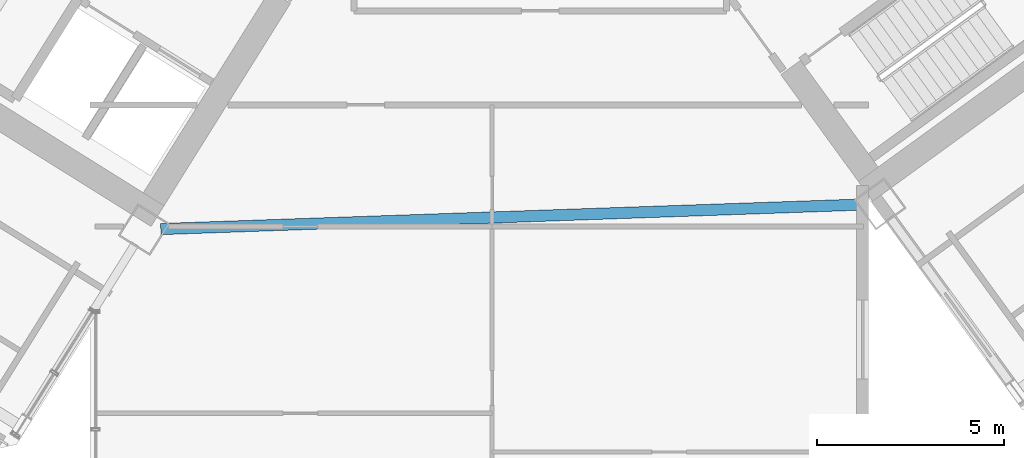
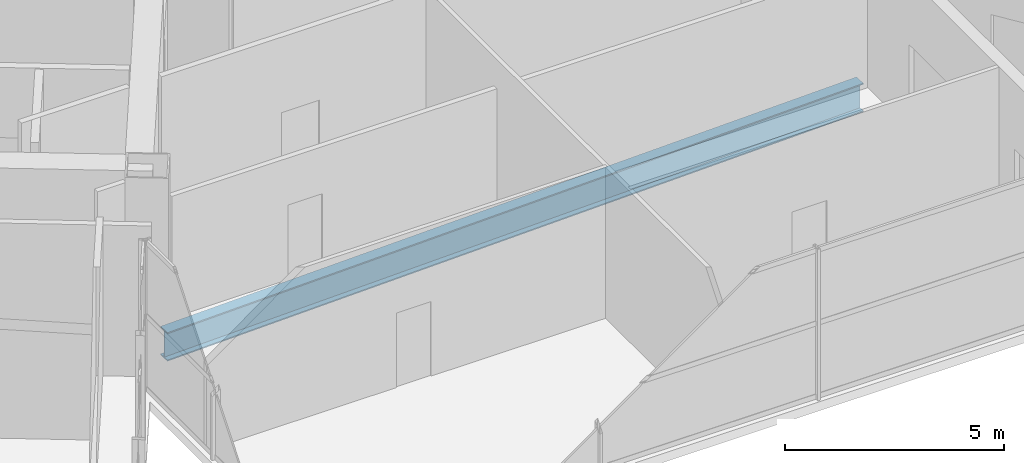
# One storey, part 8 of 30: 1 beam.
"""IFC4 building model written with IfcOpenShell, lengths in metres."""

from ifc_helpers import new_model, si_unit, direction, frame, origin, origin_2d, place, context, subcontext, project, spatial, i_section, extrude, source, transform, mapped, material, material_profile, profile_set, type_object, element, save


model = new_model("IFC4")

# Units and contexts
model_context = context("Model", 3, precision=1e-05, world=origin(), true_north=direction((0.0, 1.0)))
body_context = subcontext(model_context, "Body", "Model", "MODEL_VIEW")
ifc_project = project(units=[si_unit("LENGTHUNIT", "METRE"), si_unit("AREAUNIT", "SQUARE_METRE"), si_unit("VOLUMEUNIT", "CUBIC_METRE"), si_unit("PLANEANGLEUNIT", "RADIAN"), si_unit("MASSUNIT", "GRAM", prefix="KILO")], contexts=[model_context])

# Site, building, storey
site_placement = place(None, origin())
site = spatial("IfcSite", under=ifc_project, at=site_placement, CompositionType="ELEMENT")
building_placement = place(site_placement, origin())
building = spatial("IfcBuilding", under=site, at=building_placement, Name="Tlacorven Tower", CompositionType="ELEMENT")
storey_placement = place(building_placement, frame((0.0, 0.0, 67.199951171875)))
storey = spatial("IfcBuildingStorey", under=building, at=storey_placement, Name="L17", CompositionType="ELEMENT", Elevation=67.199951171875)

# Beam
ifc_material = material(Name="Steel S355J2", Category="steel")
ifc_material_profile = material_profile(ifc_material, i_section(OverallWidth=0.300048828125, OverallDepth=0.800048828125, WebThickness=0.017578125, FlangeThickness=0.032958984375, at=origin_2d()), Name="HEB 800")
ifc_profile_set = profile_set([ifc_material_profile], Name="Steel S355J2")
beam_type = type_object("IfcBeamType", Name="BM-POD-800", PredefinedType="BEAM", material=ifc_profile_set)
shared_shape = source(origin(), body_context, "Body", "SweptSolid", [
    extrude(i_section(OverallWidth=0.300048828125, OverallDepth=0.800048828125, WebThickness=0.017578125, FlangeThickness=0.032958984375, at=origin_2d()), origin(), (0.0, 0.0, 1.0), 18.771240234375),
])
beam_placement = place(storey_placement, frame((33.495849609375, 12.1025390625, -0.64990234375), z_axis=(0.999390514848, 0.034908434954, 0.0), x_axis=(-0.034908434954, 0.999390514848, 0.0)))
element("IfcBeam", 1, at=beam_placement, inside=storey, type_object=beam_type, Name="L17 Knuckle Link Girder 2", PredefinedType="BEAM", context=body_context, shape_type="MappedRepresentation", body=[
    mapped(shared_shape, transform((0.0, 0.0, 0.0), scale=1.0)),
])

save(model, "model.ifc")
